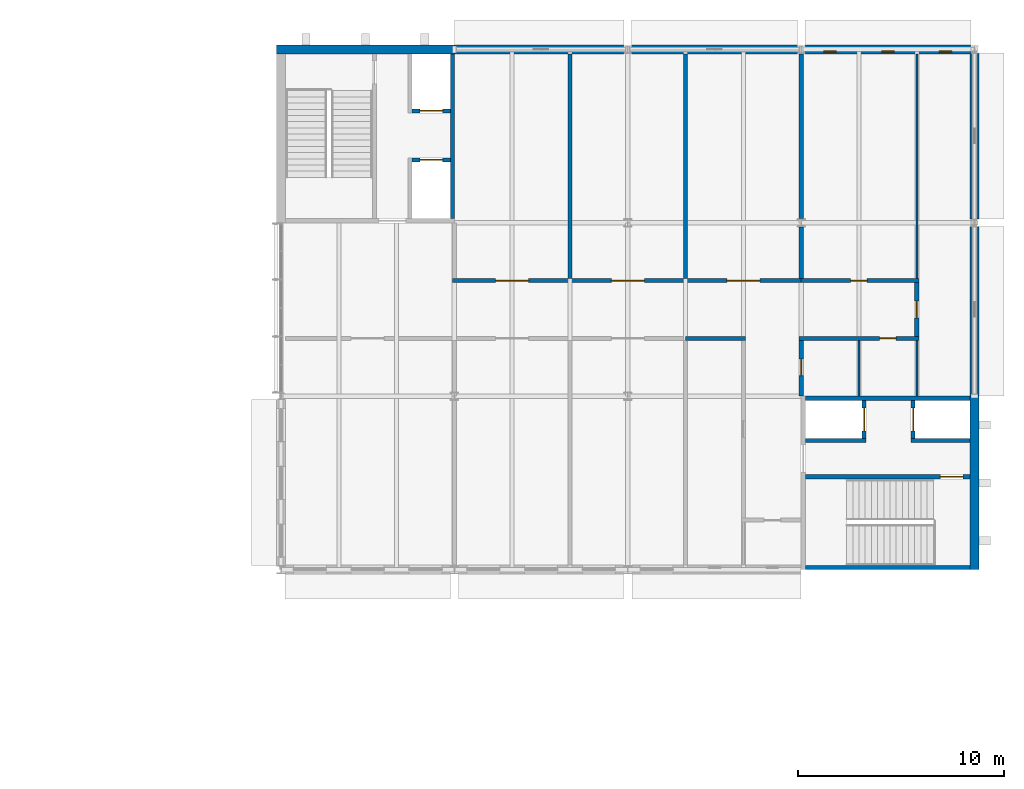
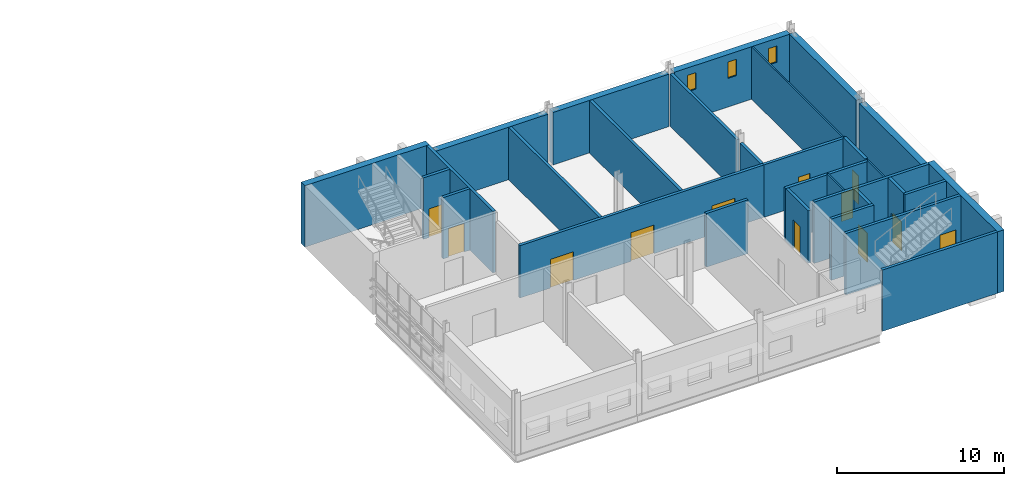
# One storey, part 30 of 42: 30 walls, 12 doors, 3 windows, 15 openings.
"""IFC4 building model written with IfcOpenShell, lengths in metres."""

from ifc_helpers import new_model, si_unit, direction, frame, frame_2d, origin, place, context, subcontext, project, spatial, rectangle, extrude, material, layer, layer_set, type_object, element, fill, save


model = new_model("IFC4")

# Units and contexts
model_context = context("Model", 3, precision=1e-05, world=origin(), true_north=direction((0.0, 1.0)))
body_context = subcontext(model_context, "Body", "Model", "MODEL_VIEW")
ifc_project = project(units=[si_unit("LENGTHUNIT", "METRE"), si_unit("AREAUNIT", "SQUARE_METRE"), si_unit("VOLUMEUNIT", "CUBIC_METRE"), si_unit("PLANEANGLEUNIT", "RADIAN"), si_unit("MASSUNIT", "GRAM", prefix="KILO")], contexts=[model_context])

# Site, building, storey
site_placement = place(None, origin())
site = spatial("IfcSite", under=ifc_project, at=site_placement, CompositionType="ELEMENT")
building_placement = place(site_placement, origin())
building = spatial("IfcBuilding", under=site, at=building_placement, Name="Ardhachandra Cancer Care Centre", CompositionType="ELEMENT")
storey_placement = place(building_placement, frame((0.0, 0.0, 22.5)))
storey = spatial("IfcBuildingStorey", under=building, at=storey_placement, Name="L05", CompositionType="ELEMENT", Elevation=22.5)

# Walls
ifc_material_1 = material(Name="Brick masonry (clay brick, cement mortar) with mineral wool cavity insulation", Category="masonry")
ifc_layer_1 = layer(ifc_material_1, 0.449951171875)
ifc_layer_set_1 = layer_set([ifc_layer_1], Name="Brick masonry (clay brick, cement mortar) with mineral wool cavity insulation")
wall_type_1 = type_object("IfcWallType", Name="Brick wall 450", PredefinedType="SOLIDWALL", material=ifc_layer_set_1)
wall_1_placement = place(storey_placement, frame((145.199951171875, 88.199951171875, 0.0), z_axis=(0.0, 0.0, 1.0), x_axis=(0.0, 1.0, 0.0)))
element("IfcWall", 1, at=wall_1_placement, inside=storey, type_object=wall_type_1, Name="E/wall/L05/e/0145200_0088200", PredefinedType="SOLIDWALL", context=body_context, shape_type="SweptSolid", body=[
    extrude(rectangle(XDim=8.218017578125, YDim=0.449951171875, at=frame_2d((4.10888671875, 0.0))), origin(), (0.0, 0.0, 1.0), 3.85009765625),
])
wall_2_placement = place(storey_placement, frame((145.199951171875, 96.781982421875, 0.0), z_axis=(0.0, 0.0, 1.0), x_axis=(0.0, 1.0, 0.0)))
element("IfcWall", 2, at=wall_2_placement, inside=storey, type_object=wall_type_1, Name="E/wall/L05/e/0145200_0096600", PredefinedType="SOLIDWALL", context=body_context, shape_type="SweptSolid", body=[
    extrude(rectangle(XDim=8.0361328125, YDim=0.449951171875, at=frame_2d((4.01806640625, 0.0))), origin(), (0.0, 0.0, 1.0), 3.85009765625),
])
ifc_material_2 = material(Name="Gypsum board corridor partition on steel studs", Category="steel")
ifc_layer_2 = layer(ifc_material_2, 0.199951171875)
ifc_layer_set_2 = layer_set([ifc_layer_2], Name="Gypsum board corridor partition on steel studs")
wall_type_2 = type_object("IfcWallType", Name="CORRIDOR WALL 200", PredefinedType="PARTITIONING", material=ifc_layer_set_2)
wall_3_placement = place(storey_placement, frame((131.199951171875, 91.0, 0.0), z_axis=(0.0, 0.0, 1.0), x_axis=(1.0, 0.0, 0.0)))
element("IfcWall", 3, at=wall_3_placement, inside=storey, type_object=wall_type_2, Name="R/wall/L05/h0091000_0131200", PredefinedType="PARTITIONING", context=body_context, shape_type="SweptSolid", body=[
    extrude(rectangle(XDim=2.900146484375, YDim=0.199951171875, at=frame_2d((1.4501953125, 0.0))), origin(), (0.0, 0.0, 1.0), 3.93603515625),
])

# Wall, opening, door
wall_4_placement = place(storey_placement, frame((136.699951171875, 91.0, 0.0), z_axis=(0.0, 0.0, 1.0), x_axis=(1.0, 0.0, 0.0)))
wall_4 = element("IfcWall", 4, at=wall_4_placement, inside=storey, type_object=wall_type_2, Name="R/wall/L05/h0091000_0136700", PredefinedType="PARTITIONING", context=body_context, shape_type="SweptSolid", body=[
    extrude(rectangle(XDim=5.800048828125, YDim=0.199951171875, at=frame_2d((2.89990234375, 0.0))), origin(), (0.0, 0.0, 1.0), 3.843994140625),
])
opening_1_placement = place(wall_4_placement, frame((3.89990234375, 0.0, 0.0)))
opening_1 = element("IfcOpeningElement", 5, at=opening_1_placement, cuts=wall_4, Name="Opening L05-0005", PredefinedType="OPENING", context=body_context, shape_type="SweptSolid", body=[
    extrude(rectangle(XDim=0.800048828125, YDim=2.10009765625, at=frame_2d((0.39990234375, 1.050048828125))), frame((0.0, 0.10986328125, 0.0), z_axis=(0.0, -1.0, 0.0), x_axis=(1.0, 0.0, 0.0)), (0.0, 0.0, 1.0), 0.219970703125),
])
ifc_material_3 = material(Name="Timber flush fire door", Category="wood")
door_type_1 = type_object("IfcDoorType", Name="STORE DOOR 800x2100 FD30S", OperationType="NOTDEFINED", PredefinedType="DOOR", material=ifc_material_3)
door_1_placement = place(opening_1_placement, origin())
door_1 = element("IfcDoor", 6, at=door_1_placement, inside=storey, type_object=door_type_1, Name="Door L05-0005", OperationType="SINGLE_SWING_RIGHT", OverallHeight=2.10009765625, OverallWidth=0.800048828125, PredefinedType="DOOR", context=body_context, shape_type="SweptSolid", body=[
    extrude(rectangle(XDim=0.800048828125, YDim=2.10009765625, at=frame_2d((0.39990234375, 1.050048828125))), frame((0.0, 0.02490234375, 0.0), z_axis=(0.0, -1.0, 0.0), x_axis=(1.0, 0.0, 0.0)), (0.0, 0.0, 1.0), 0.050048828125),
])
fill(opening_1, door_1)

wall_5_placement = place(storey_placement, frame((136.800048828125, 93.800048828125, 0.0), z_axis=(0.0, 0.0, 1.0), x_axis=(1.0, 0.0, 0.0)))
wall_5 = element("IfcWall", 7, at=wall_5_placement, inside=storey, type_object=wall_type_2, Name="R/wall/L05/h0093800_0136800", PredefinedType="PARTITIONING", context=body_context, shape_type="SweptSolid", body=[
    extrude(rectangle(XDim=5.699951171875, YDim=0.199951171875, at=frame_2d((2.85009765625, 0.0))), origin(), (0.0, 0.0, 1.0), 3.843994140625),
])
opening_2_placement = place(wall_5_placement, frame((2.39990234375, 0.0, 0.0)))
opening_2 = element("IfcOpeningElement", 8, at=opening_2_placement, cuts=wall_5, Name="Opening L05-0009", PredefinedType="OPENING", context=body_context, shape_type="SweptSolid", body=[
    extrude(rectangle(XDim=0.800048828125, YDim=2.10009765625, at=frame_2d((0.39990234375, 1.050048828125))), frame((0.0, 0.10986328125, 0.0), z_axis=(0.0, -1.0, 0.0), x_axis=(1.0, 0.0, 0.0)), (0.0, 0.0, 1.0), 0.219970703125),
])
door_2_placement = place(opening_2_placement, origin())
door_2 = element("IfcDoor", 9, at=door_2_placement, inside=storey, type_object=door_type_1, Name="Door L05-0009", OperationType="SINGLE_SWING_LEFT", OverallHeight=2.10009765625, OverallWidth=0.800048828125, PredefinedType="DOOR", context=body_context, shape_type="SweptSolid", body=[
    extrude(rectangle(XDim=0.800048828125, YDim=2.10009765625, at=frame_2d((0.39990234375, 1.050048828125))), frame((0.0, 0.02490234375, 0.0), z_axis=(0.0, -1.0, 0.0), x_axis=(1.0, 0.0, 0.0)), (0.0, 0.0, 1.0), 0.050048828125),
])
fill(opening_2, door_2)

wall_6_placement = place(storey_placement, frame((136.800048828125, 88.199951171875, 0.0), z_axis=(0.0, 0.0, 1.0), x_axis=(0.0, 1.0, 0.0)))
wall_6 = element("IfcWall", 10, at=wall_6_placement, inside=storey, type_object=wall_type_2, Name="R/wall/L05/v0136800_0088200", PredefinedType="PARTITIONING", context=body_context, shape_type="SweptSolid", body=[
    extrude(rectangle(XDim=2.699951171875, YDim=0.199951171875, at=frame_2d((1.35009765625, 0.0))), origin(), (0.0, 0.0, 1.0), 3.843994140625),
])
opening_3_placement = place(wall_6_placement, frame((1.0, 0.0, 0.0)))
opening_3 = element("IfcOpeningElement", 11, at=opening_3_placement, cuts=wall_6, Name="Opening L05-0011", PredefinedType="OPENING", context=body_context, shape_type="SweptSolid", body=[
    extrude(rectangle(XDim=0.800048828125, YDim=2.10009765625, at=frame_2d((0.39990234375, 1.050048828125))), frame((0.0, 0.10986328125, 0.0), z_axis=(0.0, -1.0, 0.0), x_axis=(1.0, 0.0, 0.0)), (0.0, 0.0, 1.0), 0.219970703125),
])
door_3_placement = place(opening_3_placement, origin())
door_3 = element("IfcDoor", 12, at=door_3_placement, inside=storey, type_object=door_type_1, Name="Door L05-0011", OperationType="SINGLE_SWING_LEFT", OverallHeight=2.10009765625, OverallWidth=0.800048828125, PredefinedType="DOOR", context=body_context, shape_type="SweptSolid", body=[
    extrude(rectangle(XDim=0.800048828125, YDim=2.10009765625, at=frame_2d((0.39990234375, 1.050048828125))), frame((0.0, 0.02490234375, 0.0), z_axis=(0.0, -1.0, 0.0), x_axis=(1.0, 0.0, 0.0)), (0.0, 0.0, 1.0), 0.050048828125),
])
fill(opening_3, door_3)

wall_7_placement = place(storey_placement, frame((142.39990234375, 91.10009765625, 0.0), z_axis=(0.0, 0.0, 1.0), x_axis=(0.0, 1.0, 0.0)))
wall_7 = element("IfcWall", 13, at=wall_7_placement, inside=storey, type_object=wall_type_2, Name="R/wall/L05/v0142400_0091100", PredefinedType="PARTITIONING", context=body_context, shape_type="SweptSolid", body=[
    extrude(rectangle(XDim=2.599853515625, YDim=0.199951171875, at=frame_2d((1.2998046875, 0.0))), origin(), (0.0, 0.0, 1.0), 3.93603515625),
])
opening_4_placement = place(wall_7_placement, frame((0.89990234375, 0.0, 0.0)))
opening_4 = element("IfcOpeningElement", 14, at=opening_4_placement, cuts=wall_7, Name="Opening L05-0012", PredefinedType="OPENING", context=body_context, shape_type="SweptSolid", body=[
    extrude(rectangle(XDim=0.800048828125, YDim=2.10009765625, at=frame_2d((0.39990234375, 1.050048828125))), frame((0.0, 0.10986328125, 0.0), z_axis=(0.0, -1.0, 0.0), x_axis=(1.0, 0.0, 0.0)), (0.0, 0.0, 1.0), 0.219970703125),
])
door_4_placement = place(opening_4_placement, origin())
door_4 = element("IfcDoor", 15, at=door_4_placement, inside=storey, type_object=door_type_1, Name="Door L05-0012", OperationType="SINGLE_SWING_LEFT", OverallHeight=2.10009765625, OverallWidth=0.800048828125, PredefinedType="DOOR", context=body_context, shape_type="SweptSolid", body=[
    extrude(rectangle(XDim=0.800048828125, YDim=2.10009765625, at=frame_2d((0.39990234375, 1.050048828125))), frame((0.0, 0.02490234375, 0.0), z_axis=(0.0, -1.0, 0.0), x_axis=(1.0, 0.0, 0.0)), (0.0, 0.0, 1.0), 0.050048828125),
])
fill(opening_4, door_4)

# Walls
ifc_material_4 = material(Name="Concrete M40", Category="concrete")
ifc_layer_3 = layer(ifc_material_4, 0.449951171875)
ifc_layer_set_3 = layer_set([ifc_layer_3], Name="Concrete M40")
wall_type_3 = type_object("IfcWallType", Name="Core exterior wall RC 450", PredefinedType="SOLIDWALL", material=ifc_layer_set_3)
wall_8_placement = place(storey_placement, frame((111.375, 105.0, 0.0), z_axis=(0.0, 0.0, 1.0), x_axis=(1.0, 0.0, 0.0)))
element("IfcWall", 16, at=wall_8_placement, inside=storey, type_object=wall_type_3, Name="Core wall K12 FAR", PredefinedType="SOLIDWALL", context=body_context, shape_type="SweptSolid", body=[
    extrude(rectangle(XDim=8.625, YDim=0.449951171875, at=frame_2d((4.3125, 0.0))), origin(), (0.0, 0.0, 1.0), 4.5),
])
wall_9_placement = place(storey_placement, frame((145.199951171875, 79.800048828125, 0.0), z_axis=(0.0, 0.0, 1.0), x_axis=(0.0, 1.0, 0.0)))
element("IfcWall", 17, at=wall_9_placement, inside=storey, type_object=wall_type_3, Name="Core wall K13 FAR", PredefinedType="SOLIDWALL", context=body_context, shape_type="SweptSolid", body=[
    extrude(rectangle(XDim=8.39990234375, YDim=0.449951171875, at=frame_2d((4.199951171875, 0.0))), origin(), (0.0, 0.0, 1.0), 4.5),
])
ifc_material_5 = material(Name="Concrete M40", Category="concrete")
ifc_layer_4 = layer(ifc_material_5, 0.199951171875)
ifc_layer_set_4 = layer_set([ifc_layer_4], Name="Concrete M40")
wall_type_4 = type_object("IfcWallType", Name="Core wall RC 200", PredefinedType="SOLIDWALL", material=ifc_layer_set_4)
wall_10_placement = place(storey_placement, frame((119.89990234375, 96.800048828125, 0.0), z_axis=(0.0, 0.0, 1.0), x_axis=(0.0, 1.0, 0.0)))
element("IfcWall", 18, at=wall_10_placement, inside=storey, type_object=wall_type_4, Name="Core wall K12 UE", PredefinedType="SOLIDWALL", context=body_context, shape_type="SweptSolid", body=[
    extrude(rectangle(XDim=7.974853515625, YDim=0.199951171875, at=frame_2d((3.9873046875, 0.0))), origin(), (0.0, 0.0, 1.0), 4.5),
])

# Wall, opening, door
wall_11_placement = place(storey_placement, frame((117.949951171875, 99.64990234375, 0.0), z_axis=(0.0, 0.0, 1.0), x_axis=(1.0, 0.0, 0.0)))
wall_11 = element("IfcWall", 19, at=wall_11_placement, inside=storey, type_object=wall_type_4, Name="Core wall K12 W1", PredefinedType="SOLIDWALL", context=body_context, shape_type="SweptSolid", body=[
    extrude(rectangle(XDim=1.85009765625, YDim=0.199951171875, at=frame_2d((0.925048828125, 0.0))), origin(), (0.0, 0.0, 1.0), 4.5),
])
opening_5_placement = place(wall_11_placement, frame((0.375, 0.0, 0.0)))
opening_5 = element("IfcOpeningElement", 20, at=opening_5_placement, cuts=wall_11, Name="Opening L05-K12-3", PredefinedType="OPENING", context=body_context, shape_type="SweptSolid", body=[
    extrude(rectangle(XDim=1.10009765625, YDim=2.10009765625, at=frame_2d((0.550048828125, 1.050048828125))), frame((0.0, 0.10986328125, 0.0), z_axis=(0.0, -1.0, 0.0), x_axis=(1.0, 0.0, 0.0)), (0.0, 0.0, 1.0), 0.219970703125),
])
ifc_material_6 = material(Name="Stainless steel (grade 304)", Category="steel")
door_type_2 = type_object("IfcDoorType", Name="Lift landing door 1100x2100", OperationType="DOUBLE_DOOR_SLIDING", PredefinedType="DOOR", material=ifc_material_6)
door_5_placement = place(opening_5_placement, origin())
door_5 = element("IfcDoor", 21, at=door_5_placement, inside=storey, type_object=door_type_2, Name="Lift landing door LF-K12-1", OperationType="DOUBLE_DOOR_SLIDING", OverallHeight=2.10009765625, OverallWidth=1.10009765625, PredefinedType="DOOR", context=body_context, shape_type="SweptSolid", body=[
    extrude(rectangle(XDim=1.10009765625, YDim=2.10009765625, at=frame_2d((0.550048828125, 1.050048828125))), frame((0.0, 0.02490234375, 0.0), z_axis=(0.0, -1.0, 0.0), x_axis=(1.0, 0.0, 0.0)), (0.0, 0.0, 1.0), 0.050048828125),
])
fill(opening_5, door_5)

wall_12_placement = place(storey_placement, frame((117.949951171875, 102.02490234375, 0.0), z_axis=(0.0, 0.0, 1.0), x_axis=(1.0, 0.0, 0.0)))
wall_12 = element("IfcWall", 22, at=wall_12_placement, inside=storey, type_object=wall_type_4, Name="Core wall K12 W2", PredefinedType="SOLIDWALL", context=body_context, shape_type="SweptSolid", body=[
    extrude(rectangle(XDim=1.85009765625, YDim=0.199951171875, at=frame_2d((0.925048828125, 0.0))), origin(), (0.0, 0.0, 1.0), 4.5),
])
opening_6_placement = place(wall_12_placement, frame((0.375, 0.0, 0.0)))
opening_6 = element("IfcOpeningElement", 23, at=opening_6_placement, cuts=wall_12, Name="Opening L05-K12-4", PredefinedType="OPENING", context=body_context, shape_type="SweptSolid", body=[
    extrude(rectangle(XDim=1.10009765625, YDim=2.10009765625, at=frame_2d((0.550048828125, 1.050048828125))), frame((0.0, 0.10986328125, 0.0), z_axis=(0.0, -1.0, 0.0), x_axis=(1.0, 0.0, 0.0)), (0.0, 0.0, 1.0), 0.219970703125),
])
door_6_placement = place(opening_6_placement, origin())
door_6 = element("IfcDoor", 24, at=door_6_placement, inside=storey, type_object=door_type_2, Name="Lift landing door LF-K12-2", OperationType="DOUBLE_DOOR_SLIDING", OverallHeight=2.10009765625, OverallWidth=1.10009765625, PredefinedType="DOOR", context=body_context, shape_type="SweptSolid", body=[
    extrude(rectangle(XDim=1.10009765625, YDim=2.10009765625, at=frame_2d((0.550048828125, 1.050048828125))), frame((0.0, 0.02490234375, 0.0), z_axis=(0.0, -1.0, 0.0), x_axis=(1.0, 0.0, 0.0)), (0.0, 0.0, 1.0), 0.050048828125),
])
fill(opening_6, door_6)

# Walls
for number, where, z_axis, x_axis, name in (
    (25, (137.0, 79.89990234375, 0.0), (0.0, 0.0, 1.0), (1.0, 0.0, 0.0), "Core wall K13 UW"),
    (26, (137.0, 88.10009765625, 0.0), (0.0, 0.0, 1.0), (1.0, 0.0, 0.0), "Core wall K13 UE"),
):
    element("IfcWall", number, at=place(storey_placement, frame(where, z_axis=z_axis, x_axis=x_axis)), inside=storey, type_object=wall_type_4, Name=name, PredefinedType="SOLIDWALL", context=body_context, shape_type="SweptSolid", body=[
        extrude(rectangle(XDim=7.97509765625, YDim=0.199951171875, at=frame_2d((3.987548828125, 0.0))), origin(), (0.0, 0.0, 1.0), 4.5),
    ])

# Wall, opening, door
wall_13_placement = place(storey_placement, frame((137.0, 84.300048828125, 0.0), z_axis=(0.0, 0.0, 1.0), x_axis=(1.0, 0.0, 0.0)))
wall_13 = element("IfcWall", 27, at=wall_13_placement, inside=storey, type_object=wall_type_4, Name="Core wall K13 P1", PredefinedType="SOLIDWALL", context=body_context, shape_type="SweptSolid", body=[
    extrude(rectangle(XDim=7.97509765625, YDim=0.199951171875, at=frame_2d((3.987548828125, 0.0))), origin(), (0.0, 0.0, 1.0), 4.5),
])
opening_7_placement = place(wall_13_placement, frame((6.53759765625, 0.0, 0.0)))
opening_7 = element("IfcOpeningElement", 28, at=opening_7_placement, cuts=wall_13, Name="Opening L05-K13-2", PredefinedType="OPENING", context=body_context, shape_type="SweptSolid", body=[
    extrude(rectangle(XDim=1.10009765625, YDim=2.10009765625, at=frame_2d((0.550048828125, 1.050048828125))), frame((0.0, 0.10986328125, 0.0), z_axis=(0.0, -1.0, 0.0), x_axis=(1.0, 0.0, 0.0)), (0.0, 0.0, 1.0), 0.219970703125),
])
ifc_material_7 = material(Name="Steel door set", Category="steel")
door_type_3 = type_object("IfcDoorType", Name="Stair door 1100x2100 FD60S", OperationType="NOTDEFINED", PredefinedType="DOOR", material=ifc_material_7)
door_7_placement = place(opening_7_placement, origin())
door_7 = element("IfcDoor", 29, at=door_7_placement, inside=storey, type_object=door_type_3, Name="Stair door", OperationType="SINGLE_SWING_LEFT", OverallHeight=2.10009765625, OverallWidth=1.10009765625, PredefinedType="DOOR", context=body_context, shape_type="SweptSolid", body=[
    extrude(rectangle(XDim=1.10009765625, YDim=2.10009765625, at=frame_2d((0.550048828125, 1.050048828125))), frame((0.0, 0.02490234375, 0.0), z_axis=(0.0, -1.0, 0.0), x_axis=(1.0, 0.0, 0.0)), (0.0, 0.0, 1.0), 0.050048828125),
])
fill(opening_7, door_7)

# Walls
wall_14_placement = place(storey_placement, frame((137.0, 86.050048828125, 0.0), z_axis=(0.0, 0.0, 1.0), x_axis=(1.0, 0.0, 0.0)))
element("IfcWall", 30, at=wall_14_placement, inside=storey, type_object=wall_type_4, Name="Core wall K13 P2A", PredefinedType="SOLIDWALL", context=body_context, shape_type="SweptSolid", body=[
    extrude(rectangle(XDim=2.949951171875, YDim=0.199951171875, at=frame_2d((1.47509765625, 0.0))), origin(), (0.0, 0.0, 1.0), 4.5),
])
wall_15_placement = place(storey_placement, frame((142.125, 86.050048828125, 0.0), z_axis=(0.0, 0.0, 1.0), x_axis=(1.0, 0.0, 0.0)))
element("IfcWall", 31, at=wall_15_placement, inside=storey, type_object=wall_type_4, Name="Core wall K13 P2B", PredefinedType="SOLIDWALL", context=body_context, shape_type="SweptSolid", body=[
    extrude(rectangle(XDim=2.85009765625, YDim=0.199951171875, at=frame_2d((1.425048828125, 0.0))), origin(), (0.0, 0.0, 1.0), 4.5),
])

# Wall, opening, door
wall_16_placement = place(storey_placement, frame((139.85009765625, 86.14990234375, 0.0), z_axis=(0.0, 0.0, 1.0), x_axis=(0.0, 1.0, 0.0)))
wall_16 = element("IfcWall", 32, at=wall_16_placement, inside=storey, type_object=wall_type_4, Name="Core wall K13 W1", PredefinedType="SOLIDWALL", context=body_context, shape_type="SweptSolid", body=[
    extrude(rectangle(XDim=1.85009765625, YDim=0.199951171875, at=frame_2d((0.925048828125, 0.0))), origin(), (0.0, 0.0, 1.0), 4.5),
])
opening_8_placement = place(wall_16_placement, frame((0.375, 0.0, 0.0)))
opening_8 = element("IfcOpeningElement", 33, at=opening_8_placement, cuts=wall_16, Name="Opening L05-K13-3", PredefinedType="OPENING", context=body_context, shape_type="SweptSolid", body=[
    extrude(rectangle(XDim=1.10009765625, YDim=2.10009765625, at=frame_2d((0.550048828125, 1.050048828125))), frame((0.0, 0.10986328125, 0.0), z_axis=(0.0, -1.0, 0.0), x_axis=(1.0, 0.0, 0.0)), (0.0, 0.0, 1.0), 0.219970703125),
])
door_8_placement = place(opening_8_placement, origin())
door_8 = element("IfcDoor", 34, at=door_8_placement, inside=storey, type_object=door_type_2, Name="Lift landing door LF-K13-1", OperationType="DOUBLE_DOOR_SLIDING", OverallHeight=2.10009765625, OverallWidth=1.10009765625, PredefinedType="DOOR", context=body_context, shape_type="SweptSolid", body=[
    extrude(rectangle(XDim=1.10009765625, YDim=2.10009765625, at=frame_2d((0.550048828125, 1.050048828125))), frame((0.0, 0.02490234375, 0.0), z_axis=(0.0, -1.0, 0.0), x_axis=(1.0, 0.0, 0.0)), (0.0, 0.0, 1.0), 0.050048828125),
])
fill(opening_8, door_8)

wall_17_placement = place(storey_placement, frame((142.22509765625, 86.14990234375, 0.0), z_axis=(0.0, 0.0, 1.0), x_axis=(0.0, 1.0, 0.0)))
wall_17 = element("IfcWall", 35, at=wall_17_placement, inside=storey, type_object=wall_type_4, Name="Core wall K13 W2", PredefinedType="SOLIDWALL", context=body_context, shape_type="SweptSolid", body=[
    extrude(rectangle(XDim=1.85009765625, YDim=0.199951171875, at=frame_2d((0.925048828125, 0.0))), origin(), (0.0, 0.0, 1.0), 4.5),
])
opening_9_placement = place(wall_17_placement, frame((0.375, 0.0, 0.0)))
opening_9 = element("IfcOpeningElement", 36, at=opening_9_placement, cuts=wall_17, Name="Opening L05-K13-4", PredefinedType="OPENING", context=body_context, shape_type="SweptSolid", body=[
    extrude(rectangle(XDim=1.10009765625, YDim=2.10009765625, at=frame_2d((0.550048828125, 1.050048828125))), frame((0.0, 0.10986328125, 0.0), z_axis=(0.0, -1.0, 0.0), x_axis=(1.0, 0.0, 0.0)), (0.0, 0.0, 1.0), 0.219970703125),
])
door_9_placement = place(opening_9_placement, origin())
door_9 = element("IfcDoor", 37, at=door_9_placement, inside=storey, type_object=door_type_2, Name="Lift landing door LF-K13-2", OperationType="DOUBLE_DOOR_SLIDING", OverallHeight=2.10009765625, OverallWidth=1.10009765625, PredefinedType="DOOR", context=body_context, shape_type="SweptSolid", body=[
    extrude(rectangle(XDim=1.10009765625, YDim=2.10009765625, at=frame_2d((0.550048828125, 1.050048828125))), frame((0.0, 0.02490234375, 0.0), z_axis=(0.0, -1.0, 0.0), x_axis=(1.0, 0.0, 0.0)), (0.0, 0.0, 1.0), 0.050048828125),
])
fill(opening_9, door_9)

# Walls
ifc_material_8 = material(Name="Brick masonry (clay brick, cement mortar) with polyisocyanurate insulation", Category="masonry")
ifc_layer_5 = layer(ifc_material_8, 0.449951171875)
ifc_layer_set_5 = layer_set([ifc_layer_5], Name="Brick masonry (clay brick, cement mortar) with polyisocyanurate insulation")
wall_type_5 = type_object("IfcWallType", Name="Insulated brick wall 450", PredefinedType="SOLIDWALL", material=ifc_layer_set_5)
wall_18_placement = place(storey_placement, frame((120.0, 105.0, 0.0), z_axis=(0.0, 0.0, 1.0), x_axis=(1.0, 0.0, 0.0)))
element("IfcWall", 38, at=wall_18_placement, inside=storey, type_object=wall_type_5, Name="E/wall/L05/n/0120000_0105000", PredefinedType="SOLIDWALL", context=body_context, shape_type="SweptSolid", body=[
    extrude(rectangle(XDim=8.214599609375, YDim=0.449951171875, at=frame_2d((4.107421875, 0.0))), origin(), (0.0, 0.0, 1.0), 3.85009765625),
])
wall_19_placement = place(storey_placement, frame((128.58544921875, 105.0, 0.0), z_axis=(0.0, 0.0, 1.0), x_axis=(1.0, 0.0, 0.0)))
element("IfcWall", 39, at=wall_19_placement, inside=storey, type_object=wall_type_5, Name="E/wall/L05/n/0128400_0105000", PredefinedType="SOLIDWALL", context=body_context, shape_type="SweptSolid", body=[
    extrude(rectangle(XDim=8.029052734375, YDim=0.449951171875, at=frame_2d((4.0146484375, 0.0))), origin(), (0.0, 0.0, 1.0), 3.85009765625),
])

# Wall, openings, windows
wall_20_placement = place(storey_placement, frame((136.985595703125, 105.0, 0.0), z_axis=(0.0, 0.0, 1.0), x_axis=(1.0, 0.0, 0.0)))
wall_20 = element("IfcWall", 40, at=wall_20_placement, inside=storey, type_object=wall_type_5, Name="E/wall/L05/n/0136800_0105000", PredefinedType="SOLIDWALL", context=body_context, shape_type="SweptSolid", body=[
    extrude(rectangle(XDim=8.02880859375, YDim=0.449951171875, at=frame_2d((4.014404296875, 0.0))), origin(), (0.0, 0.0, 1.0), 3.85009765625),
])
opening_10_placement = place(wall_20_placement, frame((0.91455078125, 0.0, 2.10009765625)))
opening_10 = element("IfcOpeningElement", 41, at=opening_10_placement, cuts=wall_20, Name="Opening W4", PredefinedType="OPENING", context=body_context, shape_type="SweptSolid", body=[
    extrude(rectangle(XDim=0.60009765625, YDim=1.199951171875, at=frame_2d((0.300048828125, 0.60009765625))), frame((0.0, 0.23486328125, 0.0), z_axis=(0.0, -1.0, 0.0), x_axis=(1.0, 0.0, 0.0)), (0.0, 0.0, 1.0), 0.469970703125),
])
opening_11_placement = place(wall_20_placement, frame((3.714599609375, 0.0, 2.10009765625)))
opening_11 = element("IfcOpeningElement", 42, at=opening_11_placement, cuts=wall_20, Name="Opening W4", PredefinedType="OPENING", context=body_context, shape_type="SweptSolid", body=[
    extrude(rectangle(XDim=0.60009765625, YDim=1.199951171875, at=frame_2d((0.300048828125, 0.60009765625))), frame((0.0, 0.23486328125, 0.0), z_axis=(0.0, -1.0, 0.0), x_axis=(1.0, 0.0, 0.0)), (0.0, 0.0, 1.0), 0.469970703125),
])
opening_12_placement = place(wall_20_placement, frame((6.514404296875, 0.0, 2.10009765625)))
opening_12 = element("IfcOpeningElement", 43, at=opening_12_placement, cuts=wall_20, Name="Opening W4", PredefinedType="OPENING", context=body_context, shape_type="SweptSolid", body=[
    extrude(rectangle(XDim=0.60009765625, YDim=1.199951171875, at=frame_2d((0.300048828125, 0.60009765625))), frame((0.0, 0.23486328125, 0.0), z_axis=(0.0, -1.0, 0.0), x_axis=(1.0, 0.0, 0.0)), (0.0, 0.0, 1.0), 0.469970703125),
])
ifc_material_9 = material(Name="Aluminium frame with double-glazed unit", Category="aluminium")
window_type = type_object("IfcWindowType", Name="Slot window 600 x 1200", PartitioningType="SINGLE_PANEL", PredefinedType="WINDOW", material=ifc_material_9)
window_1_placement = place(opening_10_placement, origin())
window_1 = element("IfcWindow", 44, at=window_1_placement, inside=storey, type_object=window_type, Name="W4 window L05 n/0136800_0105000 1", OverallHeight=1.199951171875, OverallWidth=0.60009765625, PartitioningType="SINGLE_PANEL", PredefinedType="WINDOW", context=body_context, shape_type="SweptSolid", body=[
    extrude(rectangle(XDim=0.60009765625, YDim=1.199951171875, at=frame_2d((0.300048828125, 0.60009765625))), frame((0.0, -0.074951171875, 0.0), z_axis=(0.0, -1.0, 0.0), x_axis=(1.0, 0.0, 0.0)), (0.0, 0.0, 1.0), 0.06005859375),
])
fill(opening_10, window_1)
window_2_placement = place(opening_11_placement, origin())
window_2 = element("IfcWindow", 45, at=window_2_placement, inside=storey, type_object=window_type, Name="W4 window L05 n/0136800_0105000 2", OverallHeight=1.199951171875, OverallWidth=0.60009765625, PartitioningType="SINGLE_PANEL", PredefinedType="WINDOW", context=body_context, shape_type="SweptSolid", body=[
    extrude(rectangle(XDim=0.60009765625, YDim=1.199951171875, at=frame_2d((0.300048828125, 0.60009765625))), frame((0.0, -0.074951171875, 0.0), z_axis=(0.0, -1.0, 0.0), x_axis=(1.0, 0.0, 0.0)), (0.0, 0.0, 1.0), 0.06005859375),
])
fill(opening_11, window_2)
window_3_placement = place(opening_12_placement, origin())
window_3 = element("IfcWindow", 46, at=window_3_placement, inside=storey, type_object=window_type, Name="W4 window L05 n/0136800_0105000 3", OverallHeight=1.199951171875, OverallWidth=0.60009765625, PartitioningType="SINGLE_PANEL", PredefinedType="WINDOW", context=body_context, shape_type="SweptSolid", body=[
    extrude(rectangle(XDim=0.60009765625, YDim=1.199951171875, at=frame_2d((0.300048828125, 0.60009765625))), frame((0.0, -0.074951171875, 0.0), z_axis=(0.0, -1.0, 0.0), x_axis=(1.0, 0.0, 0.0)), (0.0, 0.0, 1.0), 0.06005859375),
])
fill(opening_12, window_3)

# Wall, openings, doors
ifc_material_10 = material(Name="Brick masonry", Category="masonry")
ifc_layer_6 = layer(ifc_material_10, 0.199951171875)
ifc_layer_set_6 = layer_set([ifc_layer_6], Name="Brick masonry")
wall_type_6 = type_object("IfcWallType", Name="PLANT ROOM WALL 200", PredefinedType="SOLIDWALL", material=ifc_layer_set_6)
wall_21_placement = place(storey_placement, frame((119.89990234375, 93.800048828125, 0.0), z_axis=(0.0, 0.0, 1.0), x_axis=(1.0, 0.0, 0.0)))
wall_21 = element("IfcWall", 47, at=wall_21_placement, inside=storey, type_object=wall_type_6, Name="R/wall/L05/h0093800_0119900", PredefinedType="SOLIDWALL", context=body_context, shape_type="SweptSolid", body=[
    extrude(rectangle(XDim=16.900146484375, YDim=0.199951171875, at=frame_2d((8.4501953125, 0.0))), origin(), (0.0, 0.0, 1.0), 3.843994140625),
])
opening_13_placement = place(wall_21_placement, frame((2.10009765625, 0.0, 0.0)))
opening_13 = element("IfcOpeningElement", 48, at=opening_13_placement, cuts=wall_21, Name="Opening L05-0006", PredefinedType="OPENING", context=body_context, shape_type="SweptSolid", body=[
    extrude(rectangle(XDim=1.60009765625, YDim=2.10009765625, at=frame_2d((0.800048828125, 1.050048828125))), frame((0.0, 0.10986328125, 0.0), z_axis=(0.0, -1.0, 0.0), x_axis=(1.0, 0.0, 0.0)), (0.0, 0.0, 1.0), 0.219970703125),
])
opening_14_placement = place(wall_21_placement, frame((7.699951171875, 0.0, 0.0)))
opening_14 = element("IfcOpeningElement", 49, at=opening_14_placement, cuts=wall_21, Name="Opening L05-0007", PredefinedType="OPENING", context=body_context, shape_type="SweptSolid", body=[
    extrude(rectangle(XDim=1.60009765625, YDim=2.10009765625, at=frame_2d((0.800048828125, 1.050048828125))), frame((0.0, 0.10986328125, 0.0), z_axis=(0.0, -1.0, 0.0), x_axis=(1.0, 0.0, 0.0)), (0.0, 0.0, 1.0), 0.219970703125),
])
opening_15_placement = place(wall_21_placement, frame((13.300048828125, 0.0, 0.0)))
opening_15 = element("IfcOpeningElement", 50, at=opening_15_placement, cuts=wall_21, Name="Opening L05-0008", PredefinedType="OPENING", context=body_context, shape_type="SweptSolid", body=[
    extrude(rectangle(XDim=1.60009765625, YDim=2.10009765625, at=frame_2d((0.800048828125, 1.050048828125))), frame((0.0, 0.10986328125, 0.0), z_axis=(0.0, -1.0, 0.0), x_axis=(1.0, 0.0, 0.0)), (0.0, 0.0, 1.0), 0.219970703125),
])
ifc_material_11 = material(Name="Steel fire door", Category="steel")
door_type_4 = type_object("IfcDoorType", Name="PLANT ROOM DOOR 1600x2100 FD60", OperationType="NOTDEFINED", PredefinedType="DOOR", material=ifc_material_11)
door_10_placement = place(opening_13_placement, origin())
door_10 = element("IfcDoor", 51, at=door_10_placement, inside=storey, type_object=door_type_4, Name="Door L05-0006", OperationType="DOUBLE_DOOR_SINGLE_SWING", OverallHeight=2.10009765625, OverallWidth=1.60009765625, PredefinedType="DOOR", context=body_context, shape_type="SweptSolid", body=[
    extrude(rectangle(XDim=1.60009765625, YDim=2.10009765625, at=frame_2d((0.800048828125, 1.050048828125))), frame((0.0, 0.02490234375, 0.0), z_axis=(0.0, -1.0, 0.0), x_axis=(1.0, 0.0, 0.0)), (0.0, 0.0, 1.0), 0.050048828125),
])
fill(opening_13, door_10)
door_11_placement = place(opening_14_placement, origin())
door_11 = element("IfcDoor", 52, at=door_11_placement, inside=storey, type_object=door_type_4, Name="Door L05-0007", OperationType="DOUBLE_DOOR_SINGLE_SWING", OverallHeight=2.10009765625, OverallWidth=1.60009765625, PredefinedType="DOOR", context=body_context, shape_type="SweptSolid", body=[
    extrude(rectangle(XDim=1.60009765625, YDim=2.10009765625, at=frame_2d((0.800048828125, 1.050048828125))), frame((0.0, 0.02490234375, 0.0), z_axis=(0.0, -1.0, 0.0), x_axis=(1.0, 0.0, 0.0)), (0.0, 0.0, 1.0), 0.050048828125),
])
fill(opening_14, door_11)
door_12_placement = place(opening_15_placement, origin())
door_12 = element("IfcDoor", 53, at=door_12_placement, inside=storey, type_object=door_type_4, Name="Door L05-0008", OperationType="DOUBLE_DOOR_SINGLE_SWING", OverallHeight=2.10009765625, OverallWidth=1.60009765625, PredefinedType="DOOR", context=body_context, shape_type="SweptSolid", body=[
    extrude(rectangle(XDim=1.60009765625, YDim=2.10009765625, at=frame_2d((0.800048828125, 1.050048828125))), frame((0.0, 0.02490234375, 0.0), z_axis=(0.0, -1.0, 0.0), x_axis=(1.0, 0.0, 0.0)), (0.0, 0.0, 1.0), 0.050048828125),
])
fill(opening_15, door_12)

# Walls
for number, where, z_axis, x_axis, name in (
    (54, (125.60009765625, 93.89990234375, 0.0), (0.0, 0.0, 1.0), (0.0, 1.0, 0.0), "R/wall/L05/v0125600_0093900"),
    (55, (131.199951171875, 93.89990234375, 0.0), (0.0, 0.0, 1.0), (0.0, 1.0, 0.0), "R/wall/L05/v0131200_0093900"),
):
    element("IfcWall", number, at=place(storey_placement, frame(where, z_axis=z_axis, x_axis=x_axis)), inside=storey, type_object=wall_type_6, Name=name, PredefinedType="SOLIDWALL", context=body_context, shape_type="SweptSolid", body=[
        extrude(rectangle(XDim=10.875, YDim=0.199951171875, at=frame_2d((5.4375, 0.0))), origin(), (0.0, 0.0, 1.0), 3.843994140625),
    ])
wall_22_placement = place(storey_placement, frame((136.800048828125, 93.89990234375, 0.0), z_axis=(0.0, 0.0, 1.0), x_axis=(0.0, 1.0, 0.0)))
element("IfcWall", 56, at=wall_22_placement, inside=storey, type_object=wall_type_6, Name="R/wall/L05/v0136800_0093900", PredefinedType="SOLIDWALL", context=body_context, shape_type="SweptSolid", body=[
    extrude(rectangle(XDim=2.502685546875, YDim=0.199951171875, at=frame_2d((1.25146484375, 0.0))), origin(), (0.0, 0.0, 1.0), 3.843994140625),
])
wall_23_placement = place(storey_placement, frame((136.800048828125, 96.797607421875, 0.0), z_axis=(0.0, 0.0, 1.0), x_axis=(0.0, 1.0, 0.0)))
element("IfcWall", 57, at=wall_23_placement, inside=storey, type_object=wall_type_6, Name="R/wall/L05/v0136800_0096798", PredefinedType="SOLIDWALL", context=body_context, shape_type="SweptSolid", body=[
    extrude(rectangle(XDim=7.977294921875, YDim=0.199951171875, at=frame_2d((3.98876953125, 0.0))), origin(), (0.0, 0.0, 1.0), 3.843994140625),
])
ifc_material_12 = material(Name="Concrete block masonry", Category="masonry")
ifc_layer_7 = layer(ifc_material_12, 0.10009765625)
ifc_layer_set_7 = layer_set([ifc_layer_7], Name="Concrete block masonry")
wall_type_7 = type_object("IfcWallType", Name="STORE PARTITION 100", PredefinedType="SOLIDWALL", material=ifc_layer_set_7)
for number, where, z_axis, x_axis, name in (
    (58, (139.60009765625, 88.199951171875, 0.0), (0.0, 0.0, 1.0), (0.0, 1.0, 0.0), "R/wall/L05/v0139600_0088200"),
    (59, (142.39990234375, 88.199951171875, 0.0), (0.0, 0.0, 1.0), (0.0, 1.0, 0.0), "R/wall/L05/v0142400_0088200"),
):
    element("IfcWall", number, at=place(storey_placement, frame(where, z_axis=z_axis, x_axis=x_axis)), inside=storey, type_object=wall_type_7, Name=name, PredefinedType="SOLIDWALL", context=body_context, shape_type="SweptSolid", body=[
        extrude(rectangle(XDim=2.699951171875, YDim=0.10009765625, at=frame_2d((1.35009765625, 0.0))), origin(), (0.0, 0.0, 1.0), 3.93603515625),
    ])
wall_24_placement = place(storey_placement, frame((142.39990234375, 93.89990234375, 0.0), z_axis=(0.0, 0.0, 1.0), x_axis=(0.0, 1.0, 0.0)))
element("IfcWall", 60, at=wall_24_placement, inside=storey, type_object=wall_type_7, Name="R/wall/L05/v0142400_0093900", PredefinedType="SOLIDWALL", context=body_context, shape_type="SweptSolid", body=[
    extrude(rectangle(XDim=10.875, YDim=0.10009765625, at=frame_2d((5.4375, 0.0))), origin(), (0.0, 0.0, 1.0), 3.843994140625),
])

save(model, "model.ifc")
